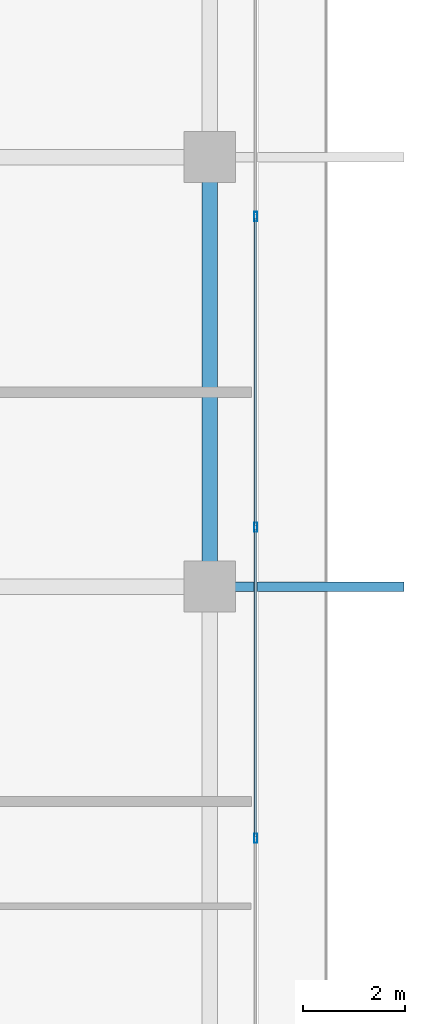
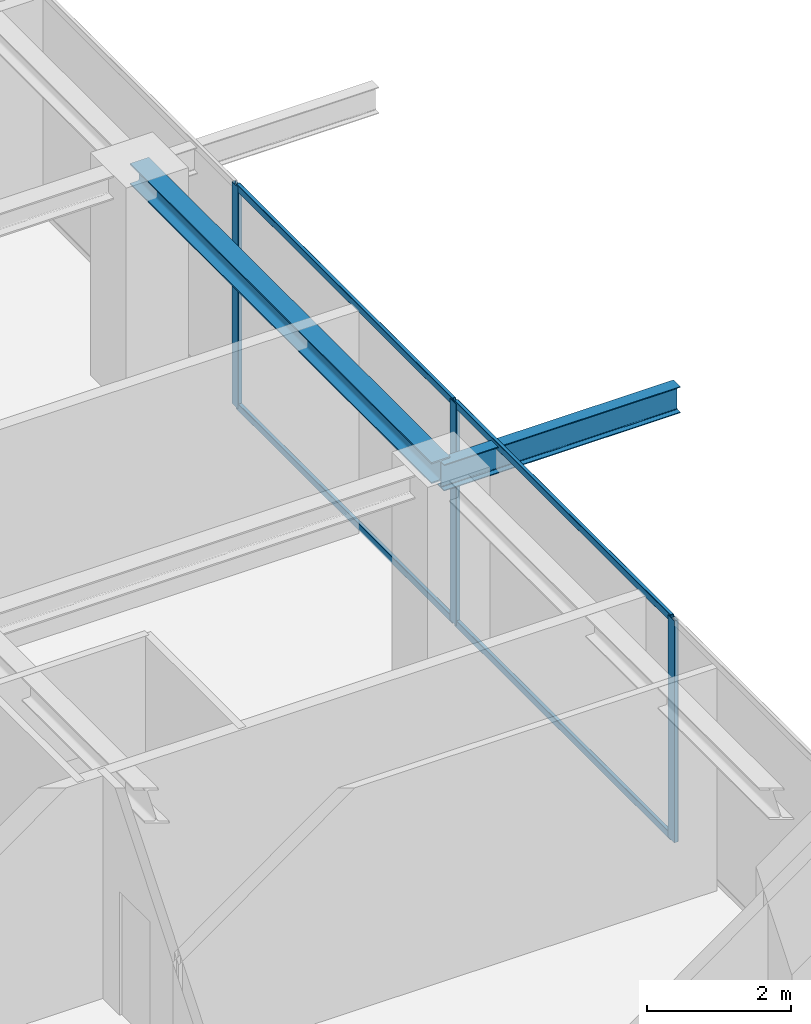
# One storey, part 15 of 38: 7 members, 2 beams, 1 element without a shape of its own.
"""IFC4 building model written with IfcOpenShell, lengths in metres."""

import ifcopenshell
import ifcopenshell.guid

model = None  # the IFC model being written
_history = None  # IfcOwnerHistory: only IFC2X3 demands one
_inside = {}  # id of a spatial element -> (the spatial element, [elements in it])
_under = {}  # id of a project, library or spatial element -> (it, [spatial elements below it])
_declared = {}  # id of a project -> (the project, [libraries it declares])
_typed = {}  # id of a type object -> (the type object, [elements of that type])
_made_of = {}  # id of a material, layer set ... -> (it, [elements and type objects made of it])


def new_model(schema):
    """Start an empty IFC model of exactly this schema.

    Asked for "IFC4X3", IfcOpenShell would pick the latest addendum, in which some entities
    have other attributes; the version numbers below select the first issue.
    IFC2X3 requires an IfcOwnerHistory on every rooted entity: one is made here for all.
    """
    global model, _history
    if schema == "IFC4X3":
        model = ifcopenshell.file(schema_version=(4, 3, 0, 0))
    else:
        model = ifcopenshell.file(schema=schema)
    _inside.clear()
    _under.clear()
    _declared.clear()
    _typed.clear()
    _made_of.clear()
    _history = None
    if model.schema == "IFC2X3":
        org = make("IfcOrganization", Name="unknown")
        user = make(
            "IfcPersonAndOrganization",
            ThePerson=make("IfcPerson", FamilyName="unknown"),
            TheOrganization=org,
        )
        app = make(
            "IfcApplication",
            ApplicationDeveloper=org,
            Version="unknown",
            ApplicationFullName="unknown",
            ApplicationIdentifier="unknown",
        )
        _history = make(
            "IfcOwnerHistory",
            OwningUser=user,
            OwningApplication=app,
            ChangeAction="ADDED",
            CreationDate=0,
        )
    return model


def make(cls, **values):
    """One entity of the class cls with the attributes given. An attribute that is None is left unset."""
    return model.create_entity(
        cls, **{name: value for name, value in values.items() if value is not None}
    )


def rooted(cls, **values):
    """An entity with a GlobalId (a new one), such as an element, a storey or a relation."""
    return make(cls, GlobalId=ifcopenshell.guid.new(), OwnerHistory=_history, **values)


def si_unit(unit_type, name, prefix=None):
    """IfcSIUnit, for example si_unit("LENGTHUNIT", "METRE", prefix="MILLI")."""
    return make("IfcSIUnit", UnitType=unit_type, Prefix=prefix, Name=name)


def assignment(units):
    """IfcUnitAssignment: the units of a project."""
    return None if units is None else make("IfcUnitAssignment", Units=units)


def point(xyz):
    """IfcCartesianPoint."""
    return None if xyz is None else make("IfcCartesianPoint", Coordinates=xyz)


def direction(xyz):
    """IfcDirection."""
    return None if xyz is None else make("IfcDirection", DirectionRatios=xyz)


def frame(location, z_axis=None, x_axis=None):
    """IfcAxis2Placement3D, a coordinate frame: its origin and axes. An axis left out is left unset."""
    return make(
        "IfcAxis2Placement3D",
        Location=point(location),
        Axis=direction(z_axis),
        RefDirection=direction(x_axis),
    )


def frame_2d(location, x_axis=None):
    """IfcAxis2Placement2D, a coordinate frame in the plane: its origin and x axis."""
    return make(
        "IfcAxis2Placement2D", Location=point(location), RefDirection=direction(x_axis)
    )


def origin():
    """The frame at (0, 0, 0) with its axes left unset."""
    return frame((0.0, 0.0, 0.0))


def origin_2d():
    """The frame at (0, 0) in the plane with its x axis left unset."""
    return frame_2d((0.0, 0.0))


def place(relative_to, where):
    """IfcLocalPlacement: puts the frame where relative to a parent placement (None: the world)."""
    return make(
        "IfcLocalPlacement", PlacementRelTo=relative_to, RelativePlacement=where
    )


def context(
    kind, dimensions, precision=None, world=None, true_north=None, identifier=None
):
    """IfcGeometricRepresentationContext, for example the 3D "Model" context."""
    return make(
        "IfcGeometricRepresentationContext",
        ContextIdentifier=identifier,
        ContextType=kind,
        CoordinateSpaceDimension=dimensions,
        Precision=precision,
        WorldCoordinateSystem=world,
        TrueNorth=true_north,
    )


def subcontext(parent, identifier, kind, view, scale=None):
    """IfcGeometricRepresentationSubContext, for example "Body" below "Model"."""
    return make(
        "IfcGeometricRepresentationSubContext",
        ContextIdentifier=identifier,
        ContextType=kind,
        ParentContext=parent,
        TargetScale=scale,
        TargetView=view,
    )


def project(units=None, contexts=None):
    """IfcProject with its units and contexts."""
    return rooted(
        "IfcProject",
        Name="project",
        RepresentationContexts=contexts,
        UnitsInContext=assignment(units),
    )


def spatial(cls, under=None, at=None, **own):
    """A site, building, storey or space (cls), placed at a placement, below another one or the project."""
    s = rooted(cls, ObjectPlacement=at, **own)
    if under is not None:
        _under.setdefault(under.id(), (under, []))[1].append(s)
    return s


def profile(cls, at=None, kind="AREA", **sizes):
    """A parametric profile (cls). Its sizes go by their IFC names, for example OverallWidth=200.0."""
    return make(cls, ProfileType=kind, Position=at, **sizes)


def hollow_rectangle(**sizes):
    """IfcRectangleHollowProfileDef."""
    return profile("IfcRectangleHollowProfileDef", **sizes)


def i_section(**sizes):
    """IfcIShapeProfileDef."""
    return profile("IfcIShapeProfileDef", **sizes)


def extrude(swept, where, along, depth):
    """IfcExtrudedAreaSolid: the profile swept, set in the frame where, extruded along a direction by depth."""
    return make(
        "IfcExtrudedAreaSolid",
        SweptArea=swept,
        Position=where,
        ExtrudedDirection=direction(along),
        Depth=depth,
    )


def shape(context_of_items, identifier, shape_type, items):
    """IfcShapeRepresentation: the items that make up one representation, for example the "Body"."""
    return make(
        "IfcShapeRepresentation",
        ContextOfItems=context_of_items,
        RepresentationIdentifier=identifier,
        RepresentationType=shape_type,
        Items=items,
    )


def source(mapping_origin, context_of_items, identifier, shape_type, items):
    """IfcRepresentationMap: a shape defined once, which mapped items show again and again."""
    return make(
        "IfcRepresentationMap",
        MappingOrigin=mapping_origin,
        MappedRepresentation=shape(context_of_items, identifier, shape_type, items),
    )


def transform(
    local_origin,
    x_axis=None,
    y_axis=None,
    z_axis=None,
    scale=None,
    scale2=None,
    scale3=None,
    uniform=True,
):
    """IfcCartesianTransformationOperator3D, or its non-uniform kind. x_axis, y_axis, z_axis: its Axis1, 2, 3."""
    if uniform:
        return make(
            "IfcCartesianTransformationOperator3D",
            Axis1=direction(x_axis),
            Axis2=direction(y_axis),
            LocalOrigin=point(local_origin),
            Scale=scale,
            Axis3=direction(z_axis),
        )
    return make(
        "IfcCartesianTransformationOperator3DnonUniform",
        Axis1=direction(x_axis),
        Axis2=direction(y_axis),
        LocalOrigin=point(local_origin),
        Scale=scale,
        Axis3=direction(z_axis),
        Scale2=scale2,
        Scale3=scale3,
    )


def mapped(mapping_source, mapping_target):
    """IfcMappedItem: shows the shape of a source again, moved by a transform."""
    return make(
        "IfcMappedItem", MappingSource=mapping_source, MappingTarget=mapping_target
    )


def material(Name=None, Category=None):
    """IfcMaterial."""
    return make("IfcMaterial", Name=Name, Category=Category)


def layer(
    of_material, thickness, ventilated=None, Name=None, Category=None, Priority=None
):
    """IfcMaterialLayer: one layer of a wall or slab, of a material (None: an air gap)."""
    return make(
        "IfcMaterialLayer",
        Material=of_material,
        LayerThickness=thickness,
        IsVentilated=ventilated,
        Name=Name,
        Category=Category,
        Priority=Priority,
    )


def layer_set(layers, Name=None):
    """IfcMaterialLayerSet."""
    return make("IfcMaterialLayerSet", MaterialLayers=layers, LayerSetName=Name)


def material_profile(
    of_material, cross_section, Name=None, Category=None, Priority=None
):
    """IfcMaterialProfile: a cross section and its material."""
    return make(
        "IfcMaterialProfile",
        Name=Name,
        Material=of_material,
        Profile=cross_section,
        Priority=Priority,
        Category=Category,
    )


def profile_set(profiles, Name=None, composite=None):
    """IfcMaterialProfileSet."""
    return make(
        "IfcMaterialProfileSet",
        Name=Name,
        MaterialProfiles=profiles,
        CompositeProfile=composite,
    )


def made_of(thing, what):
    """Note that an element or type object is made of a material, layer set ...; save() writes the relation."""
    if what is not None:
        _made_of.setdefault(what.id(), (what, []))[1].append(thing)
    return thing


def type_object(cls, material=None, **own):
    """A type object (cls), such as IfcWallType, which elements share."""
    return made_of(rooted(cls, **own), material)


def element(
    cls,
    number,
    at=None,
    inside=None,
    cuts=None,
    type_object=None,
    material=None,
    context=None,
    identifier="Body",
    shape_type=None,
    held_by="IfcProductDefinitionShape",
    body=None,
    shapes=None,
    **own,
):
    """One element of the class cls, such as IfcWall. Its Tag is "e" and its number.

    at: its placement. inside: the storey or other place that contains it. cuts: it is an
    opening in that element (IfcRelVoidsElement). A single representation is given by context,
    identifier, shape_type and body (its items); several are given by shapes. held_by: the class
    of the entity that holds the representations. save() writes the other relations.
    """
    e = rooted(cls, Tag="e%d" % number, ObjectPlacement=at, **own)
    if body is not None:
        shapes = [shape(context, identifier, shape_type, body)]
    if shapes is not None:
        e.Representation = make(held_by, Representations=shapes)
    if inside is not None:
        _inside.setdefault(inside.id(), (inside, []))[1].append(e)
    if cuts is not None:
        rooted(
            "IfcRelVoidsElement", RelatingBuildingElement=cuts, RelatedOpeningElement=e
        )
    if type_object is not None:
        _typed.setdefault(type_object.id(), (type_object, []))[1].append(e)
    return made_of(e, material)


def aggregate(whole, parts):
    """IfcRelAggregates: a whole, such as a stair, and the parts it consists of."""
    return rooted("IfcRelAggregates", RelatingObject=whole, RelatedObjects=parts)


def save(model, path):
    """Write the relations noted so far, then the file.

    IfcRelAggregates (storeys below a building ...), IfcRelContainedInSpatialStructure (elements
    in a storey), IfcRelDefinesByType, IfcRelAssociatesMaterial and IfcRelDeclares: one each for
    every whole, place, type object, material and project.
    """
    for whole, parts in _under.values():
        aggregate(whole, parts)
    for where, things in _inside.values():
        rooted(
            "IfcRelContainedInSpatialStructure",
            RelatedElements=things,
            RelatingStructure=where,
        )
    for kind, things in _typed.values():
        rooted("IfcRelDefinesByType", RelatedObjects=things, RelatingType=kind)
    for what, things in _made_of.values():
        rooted("IfcRelAssociatesMaterial", RelatedObjects=things, RelatingMaterial=what)
    for by, libraries in _declared.values():
        rooted("IfcRelDeclares", RelatingContext=by, RelatedDefinitions=libraries)
    model.write(path)


model = new_model("IFC4")

# Units and contexts
model_context = context("Model", 3, precision=1e-05, world=origin(), true_north=direction((0.0, 1.0)))
body_context = subcontext(model_context, "Body", "Model", "MODEL_VIEW")
ifc_project = project(units=[si_unit("LENGTHUNIT", "METRE"), si_unit("AREAUNIT", "SQUARE_METRE"), si_unit("VOLUMEUNIT", "CUBIC_METRE"), si_unit("PLANEANGLEUNIT", "RADIAN"), si_unit("MASSUNIT", "GRAM", prefix="KILO")], contexts=[model_context])

# Site, building, storey
site_placement = place(None, origin())
site = spatial("IfcSite", under=ifc_project, at=site_placement, CompositionType="ELEMENT")
building_placement = place(site_placement, origin())
building = spatial("IfcBuilding", under=site, at=building_placement, Name="Serunith Strait Residences", CompositionType="ELEMENT")
storey_placement = place(building_placement, frame((0.0, 0.0, 321.800048828125)))
storey = spatial("IfcBuildingStorey", under=building, at=storey_placement, Name="L80", CompositionType="ELEMENT", Elevation=321.800048828125)

# Beams
ifc_material_1 = material(Name="Steel S355J2", Category="steel")
ifc_material_profile_1 = material_profile(ifc_material_1, i_section(OverallWidth=0.300048828125, OverallDepth=0.360107421875, WebThickness=0.012451171875, FlangeThickness=0.0224609375, FilletRadius=0.027099609375, at=origin_2d()), Name="HEB 360")
ifc_profile_set_1 = profile_set([ifc_material_profile_1], Name="Steel S355J2")
beam_type_1 = type_object("IfcBeamType", Name="BM-HEB360", PredefinedType="BEAM", material=ifc_profile_set_1)
shared_shape_1 = source(origin(), body_context, "Body", "SweptSolid", [
    extrude(i_section(OverallWidth=0.300048828125, OverallDepth=0.360107421875, WebThickness=0.012451171875, FlangeThickness=0.0224609375, FilletRadius=0.027099609375, at=origin_2d()), origin(), (0.0, 0.0, 1.0), 8.39990234375),
])
beam_1_placement = place(storey_placement, frame((54.699951171875, 21.0, 3.60693359375), z_axis=(0.0, 1.0, 0.0), x_axis=(-1.0, 0.0, 0.0)))
element("IfcBeam", 1, at=beam_1_placement, inside=storey, type_object=beam_type_1, Name="L80 Perimeter Ring Beam 06", PredefinedType="BEAM", context=body_context, shape_type="MappedRepresentation", body=[
    mapped(shared_shape_1, transform((0.0, 0.0, 0.0), scale=1.0)),
])
ifc_material_profile_2 = material_profile(ifc_material_1, i_section(OverallWidth=0.18994140625, OverallDepth=0.449951171875, WebThickness=0.009521484375, FlangeThickness=0.0146484375, FilletRadius=0.02099609375, at=origin_2d()), Name="IPE 450")
ifc_profile_set_2 = profile_set([ifc_material_profile_2], Name="Steel S355J2")
beam_type_2 = type_object("IfcBeamType", Name="BM-IPE450", PredefinedType="JOIST", material=ifc_profile_set_2)
shared_shape_2 = source(origin(), body_context, "Body", "SweptSolid", [
    extrude(i_section(OverallWidth=0.18994140625, OverallDepth=0.449951171875, WebThickness=0.009521484375, FlangeThickness=0.0146484375, FilletRadius=0.02099609375, at=origin_2d()), origin(), (0.0, 0.0, 1.0), 3.800048828125),
])
beam_2_placement = place(storey_placement, frame((54.699951171875, 21.0, 3.531982421875), z_axis=(1.0, 0.0, 0.0), x_axis=(0.0, 1.0, 0.0)))
element("IfcBeam", 2, at=beam_2_placement, inside=storey, type_object=beam_type_2, Name="L81 Cantilevered Balcony Rib TC-E2", PredefinedType="JOIST", context=body_context, shape_type="MappedRepresentation", body=[
    mapped(shared_shape_2, transform((0.0, 0.0, 0.0), scale=1.0)),
])

# Curtain wall, members
ifc_material_2 = material(Name="Brushed Stainless-Silver Aluminium", Category="aluminium")
ifc_layer = layer(ifc_material_2, 0.199951171875, Name="Brushed Stainless-Silver Aluminium")
ifc_layer_set = layer_set([ifc_layer], Name="Brushed Stainless-Silver Aluminium")
curtain_wall_type = type_object("IfcCurtainWallType", Name="CW-SYS5", PredefinedType="NOTDEFINED", material=ifc_layer_set)
curtain_wall_placement = place(storey_placement, origin())
curtain_wall = element("IfcCurtainWall", 3, at=curtain_wall_placement, inside=storey, type_object=curtain_wall_type, Name="L80 E Unitised Fritted Curtain Wall", PredefinedType="NOTDEFINED")
ifc_material_profile_3 = material_profile(ifc_material_2, hollow_rectangle(XDim=0.06005859375, YDim=0.1201171875, WallThickness=0.00341796875, InnerFilletRadius=0.00537109375, OuterFilletRadius=0.0087890625, at=origin_2d()), Name="ALU 120x60x3.5")
ifc_profile_set_3 = profile_set([ifc_material_profile_3], Name="Brushed Stainless-Silver Aluminium")
member_type_1 = type_object("IfcMemberType", Name="CW-SYS5-TRAN", PredefinedType="USERDEFINED", material=ifc_profile_set_3)
shared_shape_3 = source(origin(), body_context, "Body", "SweptSolid", [
    extrude(hollow_rectangle(XDim=0.06005859375, YDim=0.1201171875, WallThickness=0.00341796875, InnerFilletRadius=0.00537109375, OuterFilletRadius=0.0087890625, at=origin_2d()), origin(), (0.0, 0.0, 1.0), 6.01513671875),
])
member_1_placement = place(storey_placement, frame((55.60009765625, 22.1923828125, 0.030029296875), z_axis=(0.0, 1.0, 0.0), x_axis=(-1.0, 0.0, 0.0)))
member_1 = element("IfcMember", 4, at=member_1_placement, type_object=member_type_1, Name="CW-5 transom 3.1", ObjectType="TRANSOM", PredefinedType="USERDEFINED", context=body_context, shape_type="MappedRepresentation", body=[
    mapped(shared_shape_3, transform((0.0, 0.0, 0.0), scale=1.0)),
])
member_2_placement = place(storey_placement, frame((55.60009765625, 22.1923828125, 3.744873046875), z_axis=(0.0, 1.0, 0.0), x_axis=(-1.0, 0.0, 0.0)))
member_2 = element("IfcMember", 5, at=member_2_placement, type_object=member_type_1, Name="CW-5 transom 3.2", ObjectType="TRANSOM", PredefinedType="USERDEFINED", context=body_context, shape_type="MappedRepresentation", body=[
    mapped(shared_shape_3, transform((0.0, 0.0, 0.0), scale=1.0)),
])
shared_shape_4 = source(origin(), body_context, "Body", "SweptSolid", [
    extrude(hollow_rectangle(XDim=0.06005859375, YDim=0.1201171875, WallThickness=0.00341796875, InnerFilletRadius=0.00537109375, OuterFilletRadius=0.0087890625, at=origin_2d()), origin(), (0.0, 0.0, 1.0), 6.014892578125),
])
member_3_placement = place(storey_placement, frame((55.60009765625, 16.112548828125, 0.030029296875), z_axis=(0.0, 1.0, 0.0), x_axis=(-1.0, 0.0, 0.0)))
member_3 = element("IfcMember", 6, at=member_3_placement, type_object=member_type_1, Name="CW-5 transom 2.1", ObjectType="TRANSOM", PredefinedType="USERDEFINED", context=body_context, shape_type="MappedRepresentation", body=[
    mapped(shared_shape_4, transform((0.0, 0.0, 0.0), scale=1.0)),
])
member_4_placement = place(storey_placement, frame((55.60009765625, 16.112548828125, 3.744873046875), z_axis=(0.0, 1.0, 0.0), x_axis=(-1.0, 0.0, 0.0)))
member_4 = element("IfcMember", 7, at=member_4_placement, type_object=member_type_1, Name="CW-5 transom 2.2", ObjectType="TRANSOM", PredefinedType="USERDEFINED", context=body_context, shape_type="MappedRepresentation", body=[
    mapped(shared_shape_4, transform((0.0, 0.0, 0.0), scale=1.0)),
])
ifc_material_profile_4 = material_profile(ifc_material_2, hollow_rectangle(XDim=0.06494140625, YDim=0.179931640625, WallThickness=0.00341796875, InnerFilletRadius=0.00537109375, OuterFilletRadius=0.0087890625, at=origin_2d()), Name="ALU 180x65x3.5")
ifc_profile_set_4 = profile_set([ifc_material_profile_4], Name="Brushed Stainless-Silver Aluminium")
member_type_2 = type_object("IfcMemberType", Name="CW-SYS5-MULL", PredefinedType="MULLION", material=ifc_profile_set_4)
shared_shape_5 = source(origin(), body_context, "Body", "SweptSolid", [
    extrude(hollow_rectangle(XDim=0.06494140625, YDim=0.179931640625, WallThickness=0.00341796875, InnerFilletRadius=0.00537109375, OuterFilletRadius=0.0087890625, at=origin_2d()), origin(), (0.0, 0.0, 1.0), 3.77490234375),
])
member_5_placement = place(storey_placement, frame((55.60009765625, 16.080078125, 0.0), z_axis=(0.0, 0.0, 1.0), x_axis=(-1.0, 0.0, 0.0)))
member_5 = element("IfcMember", 8, at=member_5_placement, type_object=member_type_2, Name="CW-5 mullion 2", PredefinedType="MULLION", context=body_context, shape_type="MappedRepresentation", body=[
    mapped(shared_shape_5, transform((0.0, 0.0, 0.0), scale=1.0)),
])
member_6_placement = place(storey_placement, frame((55.60009765625, 22.159912109375, 0.0), z_axis=(0.0, 0.0, 1.0), x_axis=(-1.0, 0.0, 0.0)))
member_6 = element("IfcMember", 9, at=member_6_placement, type_object=member_type_2, Name="CW-5 mullion 3", PredefinedType="MULLION", context=body_context, shape_type="MappedRepresentation", body=[
    mapped(shared_shape_5, transform((0.0, 0.0, 0.0), scale=1.0)),
])
member_7_placement = place(storey_placement, frame((55.60009765625, 28.239990234375, 0.0), z_axis=(0.0, 0.0, 1.0), x_axis=(-1.0, 0.0, 0.0)))
member_7 = element("IfcMember", 10, at=member_7_placement, type_object=member_type_2, Name="CW-5 mullion 4", PredefinedType="MULLION", context=body_context, shape_type="MappedRepresentation", body=[
    mapped(shared_shape_5, transform((0.0, 0.0, 0.0), scale=1.0)),
])
aggregate(curtain_wall, [member_5, member_6, member_7, member_3, member_4, member_1, member_2])

save(model, "model.ifc")
